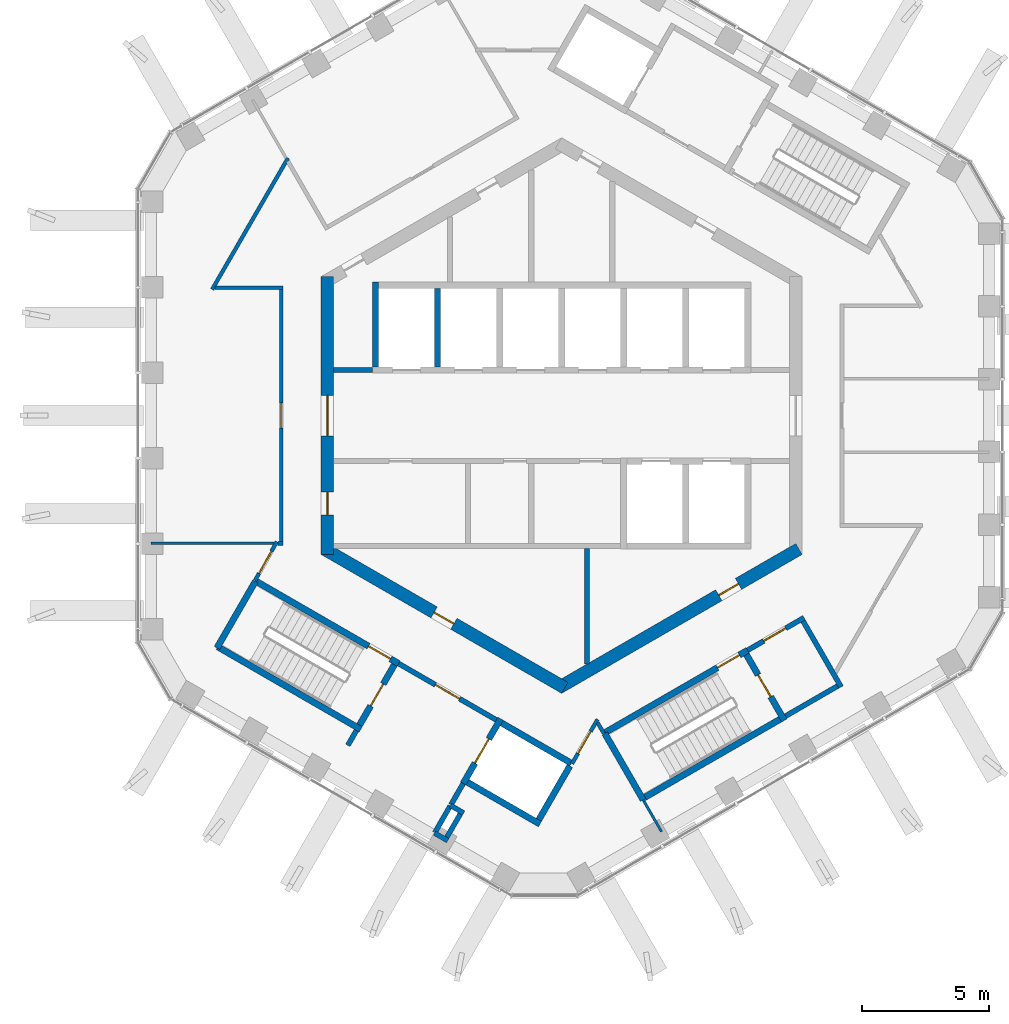
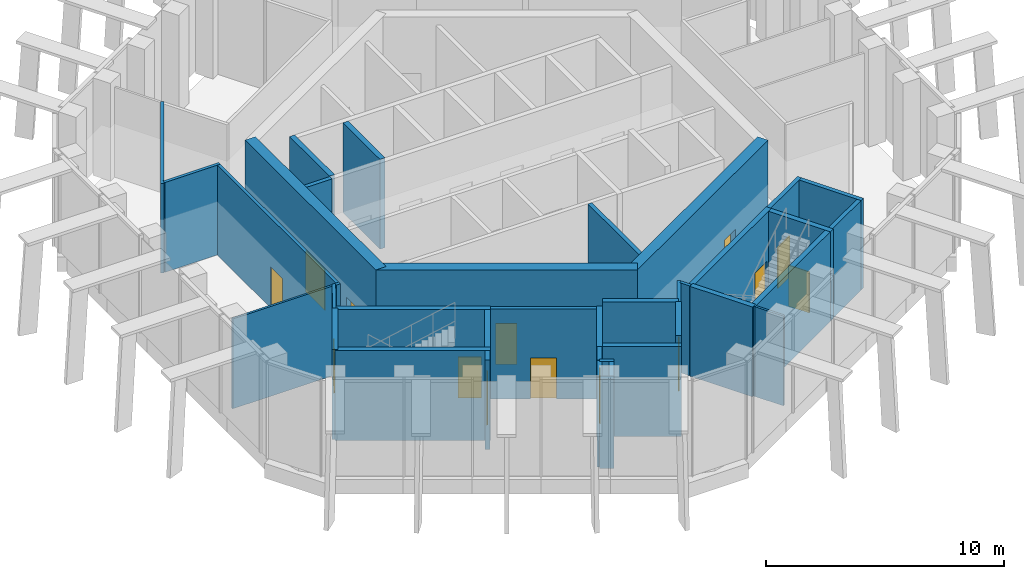
# One storey, part 11 of 17: 38 walls, 14 doors, 14 openings.
"""IFC4 building model written with IfcOpenShell, lengths in metres."""

from ifc_helpers import new_model, si_unit, direction, frame, frame_2d, origin, place, context, subcontext, project, spatial, rectangle, extrude, material, layer, layer_set, type_object, element, fill, save


model = new_model("IFC4")

# Units and contexts
model_context = context("Model", 3, precision=1e-05, world=origin(), true_north=direction((0.0, 1.0)))
body_context = subcontext(model_context, "Body", "Model", "MODEL_VIEW")
ifc_project = project(units=[si_unit("LENGTHUNIT", "METRE"), si_unit("AREAUNIT", "SQUARE_METRE"), si_unit("VOLUMEUNIT", "CUBIC_METRE"), si_unit("PLANEANGLEUNIT", "RADIAN"), si_unit("MASSUNIT", "GRAM", prefix="KILO")], contexts=[model_context])

# Site, building, storey
site_placement = place(None, origin())
site = spatial("IfcSite", under=ifc_project, at=site_placement, CompositionType="ELEMENT")
building_placement = place(site_placement, origin())
building = spatial("IfcBuilding", under=site, at=building_placement, Name="Ayvan Gate Tower", CompositionType="ELEMENT")
storey_placement = place(building_placement, frame((0.0, 0.0, 257.89990234375)))
storey = spatial("IfcBuildingStorey", under=building, at=storey_placement, Name="L69", CompositionType="ELEMENT", Elevation=257.89990234375)

# Wall, openings, doors
ifc_material_1 = material(Name="Concrete C60/75", Category="concrete")
ifc_layer_1 = layer(ifc_material_1, 0.5)
ifc_layer_set_1 = layer_set([ifc_layer_1], Name="Concrete C60/75")
wall_type_1 = type_object("IfcWallType", Name="Core wall 500 C60/75", PredefinedType="SHEAR", material=ifc_layer_set_1)
wall_1_placement = place(storey_placement, frame((-9.25, 5.48486328125, 0.0), z_axis=(0.0, 0.0, 1.0), x_axis=(0.0, -1.0, 0.0)))
wall_1 = element("IfcWall", 1, at=wall_1_placement, inside=storey, type_object=wall_type_1, Name="CORE-L69-3", PredefinedType="SHEAR", context=body_context, shape_type="SweptSolid", body=[
    extrude(rectangle(XDim=10.9697265625, YDim=0.5, at=frame_2d((5.48486328125, 0.0))), origin(), (0.0, 0.0, 1.0), 5.0),
])
opening_1_placement = place(wall_1_placement, frame((8.509765625, 0.0, 0.0)))
opening_1 = element("IfcOpeningElement", 2, at=opening_1_placement, cuts=wall_1, Name="Opening L69-D37", PredefinedType="OPENING", context=body_context, shape_type="SweptSolid", body=[
    extrude(rectangle(XDim=0.89990234375, YDim=2.10009765625, at=frame_2d((0.449951171875, 1.050048828125))), frame((0.0, 0.260009765625, 0.0), z_axis=(0.0, -1.0, 0.0), x_axis=(1.0, 0.0, 0.0)), (0.0, 0.0, 1.0), 0.52001953125),
])
opening_2_placement = place(wall_1_placement, frame((4.684814453125, 0.0, 0.0)))
opening_2 = element("IfcOpeningElement", 3, at=opening_2_placement, cuts=wall_1, Name="Opening L69-D39", PredefinedType="OPENING", context=body_context, shape_type="SweptSolid", body=[
    extrude(rectangle(XDim=1.60009765625, YDim=2.10009765625, at=frame_2d((0.800048828125, 1.050048828125))), frame((0.0, 0.260009765625, 0.0), z_axis=(0.0, -1.0, 0.0), x_axis=(1.0, 0.0, 0.0)), (0.0, 0.0, 1.0), 0.52001953125),
])
ifc_material_2 = material(Name="Timber door leaf", Category="wood")
door_type_1 = type_object("IfcDoorType", Name="DT-1600", OperationType="NOTDEFINED", PredefinedType="DOOR", material=ifc_material_2)
door_1_placement = place(opening_2_placement, origin())
door_1 = element("IfcDoor", 4, at=door_1_placement, inside=storey, type_object=door_type_1, Name="CD-L69-39", OperationType="SINGLE_SWING_RIGHT", OverallHeight=2.10009765625, OverallWidth=1.60009765625, PredefinedType="DOOR", context=body_context, shape_type="SweptSolid", body=[
    extrude(rectangle(XDim=1.60009765625, YDim=2.10009765625, at=frame_2d((0.800048828125, 1.050048828125))), frame((0.0, 0.02490234375, 0.0), z_axis=(0.0, -1.0, 0.0), x_axis=(1.0, 0.0, 0.0)), (0.0, 0.0, 1.0), 0.050048828125),
])
fill(opening_2, door_1)
door_type_2 = type_object("IfcDoorType", Name="DT-900", OperationType="NOTDEFINED", PredefinedType="DOOR", material=ifc_material_2)
door_2_placement = place(opening_1_placement, origin())
door_2 = element("IfcDoor", 5, at=door_2_placement, inside=storey, type_object=door_type_2, Name="CD-L69-37", OperationType="SINGLE_SWING_RIGHT", OverallHeight=2.10009765625, OverallWidth=0.89990234375, PredefinedType="DOOR", context=body_context, shape_type="SweptSolid", body=[
    extrude(rectangle(XDim=0.89990234375, YDim=2.10009765625, at=frame_2d((0.449951171875, 1.050048828125))), frame((0.0, 0.02490234375, 0.0), z_axis=(0.0, -1.0, 0.0), x_axis=(1.0, 0.0, 0.0)), (0.0, 0.0, 1.0), 0.050048828125),
])
fill(opening_1, door_2)

# Wall, opening, door
wall_2_placement = place(storey_placement, frame((-9.375, -5.268310546875, 0.0), z_axis=(0.0, 0.0, 1.0), x_axis=(0.866023993627, -0.500002442456, 0.0)))
wall_2 = element("IfcWall", 6, at=wall_2_placement, inside=storey, type_object=wall_type_1, Name="CORE-L69-4", PredefinedType="SHEAR", context=body_context, shape_type="SweptSolid", body=[
    extrude(rectangle(XDim=10.9697265625, YDim=0.5, at=frame_2d((5.48486328125, 0.0))), origin(), (0.0, 0.0, 1.0), 5.0),
])
opening_3_placement = place(wall_2_placement, frame((5.01123046875, 0.0, 0.0)))
opening_3 = element("IfcOpeningElement", 7, at=opening_3_placement, cuts=wall_2, Name="Opening L69-D35", PredefinedType="OPENING", context=body_context, shape_type="SweptSolid", body=[
    extrude(rectangle(XDim=0.89990234375, YDim=2.10009765625, at=frame_2d((0.449951171875, 1.050048828125))), frame((0.0, 0.260009765625, 0.0), z_axis=(0.0, -1.0, 0.0), x_axis=(1.0, 0.0, 0.0)), (0.0, 0.0, 1.0), 0.52001953125),
])
door_3_placement = place(opening_3_placement, origin())
door_3 = element("IfcDoor", 8, at=door_3_placement, inside=storey, type_object=door_type_2, Name="CD-L69-35", OperationType="SINGLE_SWING_RIGHT", OverallHeight=2.10009765625, OverallWidth=0.89990234375, PredefinedType="DOOR", context=body_context, shape_type="SweptSolid", body=[
    extrude(rectangle(XDim=0.89990234375, YDim=2.10009765625, at=frame_2d((0.449951171875, 1.050048828125))), frame((0.0, 0.02490234375, 0.0), z_axis=(0.0, -1.0, 0.0), x_axis=(1.0, 0.0, 0.0)), (0.0, 0.0, 1.0), 0.050048828125),
])
fill(opening_3, door_3)

wall_3_placement = place(storey_placement, frame((-0.125, -10.753173828125, 0.0), z_axis=(0.0, 0.0, 1.0), x_axis=(0.866023993627, 0.500002442456, 0.0)))
wall_3 = element("IfcWall", 9, at=wall_3_placement, inside=storey, type_object=wall_type_1, Name="CORE-L69-5", PredefinedType="SHEAR", context=body_context, shape_type="SweptSolid", body=[
    extrude(rectangle(XDim=10.9697265625, YDim=0.5, at=frame_2d((5.48486328125, 0.0))), origin(), (0.0, 0.0, 1.0), 5.0),
])
opening_4_placement = place(wall_3_placement, frame((7.310791015625, 0.0, 0.0)))
opening_4 = element("IfcOpeningElement", 10, at=opening_4_placement, cuts=wall_3, Name="Opening L69-D36", PredefinedType="OPENING", context=body_context, shape_type="SweptSolid", body=[
    extrude(rectangle(XDim=0.89990234375, YDim=2.10009765625, at=frame_2d((0.449951171875, 1.050048828125))), frame((0.0, 0.260009765625, 0.0), z_axis=(0.0, -1.0, 0.0), x_axis=(1.0, 0.0, 0.0)), (0.0, 0.0, 1.0), 0.52001953125),
])
door_4_placement = place(opening_4_placement, origin())
door_4 = element("IfcDoor", 11, at=door_4_placement, inside=storey, type_object=door_type_2, Name="CD-L69-36", OperationType="SINGLE_SWING_LEFT", OverallHeight=2.10009765625, OverallWidth=0.89990234375, PredefinedType="DOOR", context=body_context, shape_type="SweptSolid", body=[
    extrude(rectangle(XDim=0.89990234375, YDim=2.10009765625, at=frame_2d((0.449951171875, 1.050048828125))), frame((0.0, 0.02490234375, 0.0), z_axis=(0.0, -1.0, 0.0), x_axis=(1.0, 0.0, 0.0)), (0.0, 0.0, 1.0), 0.050048828125),
])
fill(opening_4, door_4)

# Wall
ifc_material_3 = material(Name="Plasterboard on steel stud", Category="steel")
ifc_layer_2 = layer(ifc_material_3, 0.14990234375)
ifc_layer_set_2 = layer_set([ifc_layer_2], Name="Plasterboard on steel stud")
wall_type_2 = type_object("IfcWallType", Name="WT-CORR-150", PredefinedType="PARTITIONING", material=ifc_layer_set_2)
wall_4_placement = place(storey_placement, frame((-13.801025390625, 4.981689453125, 0.0), z_axis=(0.0, 0.0, 1.0), x_axis=(0.499988265988, 0.866032178313, 0.0)))
element("IfcWall", 12, at=wall_4_placement, inside=storey, type_object=wall_type_2, Name="IW-L69-000", PredefinedType="PARTITIONING", context=body_context, shape_type="SweptSolid", body=[
    extrude(rectangle(XDim=5.989501953125, YDim=0.14990234375, at=frame_2d((2.99462890625, 0.0))), origin(), (0.0, 0.0, 1.0), 4.60009765625),
])

# Wall, opening, door
wall_5_placement = place(storey_placement, frame((-12.111328125, -6.517578125, 0.0), z_axis=(0.0, 0.0, 1.0), x_axis=(0.491226952913, 0.871031618675, 0.0)))
wall_5 = element("IfcWall", 13, at=wall_5_placement, inside=storey, type_object=wall_type_2, Name="IW-L69-004", PredefinedType="PARTITIONING", context=body_context, shape_type="SweptSolid", body=[
    extrude(rectangle(XDim=1.763916015625, YDim=0.14990234375, at=frame_2d((0.8818359375, 0.0))), origin(), (0.0, 0.0, 1.0), 4.60009765625),
])
opening_5_placement = place(wall_5_placement, frame((0.3271484375, 0.0, 0.0)))
opening_5 = element("IfcOpeningElement", 14, at=opening_5_placement, cuts=wall_5, Name="Opening L69-D29", PredefinedType="OPENING", context=body_context, shape_type="SweptSolid", body=[
    extrude(rectangle(XDim=1.0, YDim=2.10009765625, at=frame_2d((0.5, 1.050048828125))), frame((0.0, 0.0849609375, 0.0), z_axis=(0.0, -1.0, 0.0), x_axis=(1.0, 0.0, 0.0)), (0.0, 0.0, 1.0), 0.169921875),
])
door_type_3 = type_object("IfcDoorType", Name="DT-1000", OperationType="NOTDEFINED", PredefinedType="DOOR", material=ifc_material_2)
door_5_placement = place(opening_5_placement, origin())
door_5 = element("IfcDoor", 15, at=door_5_placement, inside=storey, type_object=door_type_3, Name="ID-L69-029", OperationType="SINGLE_SWING_RIGHT", OverallHeight=2.10009765625, OverallWidth=1.0, PredefinedType="DOOR", context=body_context, shape_type="SweptSolid", body=[
    extrude(rectangle(XDim=1.0, YDim=2.10009765625, at=frame_2d((0.5, 1.050048828125))), frame((0.0, 0.02490234375, 0.0), z_axis=(0.0, -1.0, 0.0), x_axis=(1.0, 0.0, 0.0)), (0.0, 0.0, 1.0), 0.050048828125),
])
fill(opening_5, door_5)

# Walls
wall_6_placement = place(storey_placement, frame((-11.20654296875, -5.046630859375, 0.0), z_axis=(0.0, 0.0, 1.0), x_axis=(1.0, 0.0, 0.0)))
element("IfcWall", 16, at=wall_6_placement, inside=storey, type_object=wall_type_2, Name="IW-L69-006", PredefinedType="PARTITIONING", context=body_context, shape_type="SweptSolid", body=[
    extrude(rectangle(XDim=0.21142578125, YDim=0.14990234375, at=frame_2d((0.105712890625, 0.0))), origin(), (0.0, 0.0, 1.0), 4.60009765625),
])
wall_7_placement = place(storey_placement, frame((-10.9951171875, 5.046630859375, 0.0), z_axis=(0.0, 0.0, 1.0), x_axis=(-1.0, 0.0, 0.0)))
element("IfcWall", 17, at=wall_7_placement, inside=storey, type_object=wall_type_2, Name="IW-L69-008", PredefinedType="PARTITIONING", context=body_context, shape_type="SweptSolid", body=[
    extrude(rectangle(XDim=2.693359375, YDim=0.14990234375, at=frame_2d((1.3466796875, 0.0))), origin(), (0.0, 0.0, 1.0), 4.60009765625),
])

# Wall, opening, door
wall_8_placement = place(storey_placement, frame((-11.070068359375, -4.9716796875, 0.0), z_axis=(0.0, 0.0, 1.0), x_axis=(0.0, 1.0, 0.0)))
wall_8 = element("IfcWall", 18, at=wall_8_placement, inside=storey, type_object=wall_type_2, Name="IW-L69-009", PredefinedType="PARTITIONING", context=body_context, shape_type="SweptSolid", body=[
    extrude(rectangle(XDim=9.943359375, YDim=0.14990234375, at=frame_2d((4.9716796875, 0.0))), origin(), (0.0, 0.0, 1.0), 4.60009765625),
])
opening_6_placement = place(wall_8_placement, frame((4.4716796875, 0.0, 0.0)))
opening_6 = element("IfcOpeningElement", 19, at=opening_6_placement, cuts=wall_8, Name="Opening L69-D26", PredefinedType="OPENING", context=body_context, shape_type="SweptSolid", body=[
    extrude(rectangle(XDim=1.0, YDim=2.10009765625, at=frame_2d((0.5, 1.050048828125))), frame((0.0, 0.0849609375, 0.0), z_axis=(0.0, -1.0, 0.0), x_axis=(1.0, 0.0, 0.0)), (0.0, 0.0, 1.0), 0.169921875),
])
door_6_placement = place(opening_6_placement, origin())
door_6 = element("IfcDoor", 20, at=door_6_placement, inside=storey, type_object=door_type_3, Name="ID-L69-026", OperationType="SINGLE_SWING_LEFT", OverallHeight=2.10009765625, OverallWidth=1.0, PredefinedType="DOOR", context=body_context, shape_type="SweptSolid", body=[
    extrude(rectangle(XDim=1.0, YDim=2.10009765625, at=frame_2d((0.5, 1.050048828125))), frame((0.0, 0.02490234375, 0.0), z_axis=(0.0, -1.0, 0.0), x_axis=(1.0, 0.0, 0.0)), (0.0, 0.0, 1.0), 0.050048828125),
])
fill(opening_6, door_6)

wall_9_placement = place(storey_placement, frame((1.419921875, -12.00048828125, 0.0), z_axis=(0.0, 0.0, 1.0), x_axis=(-0.499952933402, -0.866052575992, 0.0)))
wall_9 = element("IfcWall", 21, at=wall_9_placement, inside=storey, type_object=wall_type_2, Name="IW-L69-044", PredefinedType="PARTITIONING", context=body_context, shape_type="SweptSolid", body=[
    extrude(rectangle(XDim=2.017333984375, YDim=0.14990234375, at=frame_2d((1.0087890625, 0.0))), origin(), (0.0, 0.0, 1.0), 4.60009765625),
])
opening_7_placement = place(wall_9_placement, frame((0.5458984375, 0.0, 0.0)))
opening_7 = element("IfcOpeningElement", 22, at=opening_7_placement, cuts=wall_9, Name="Opening L69-D30", PredefinedType="OPENING", context=body_context, shape_type="SweptSolid", body=[
    extrude(rectangle(XDim=1.0, YDim=2.10009765625, at=frame_2d((0.5, 1.050048828125))), frame((0.0, 0.0849609375, 0.0), z_axis=(0.0, -1.0, 0.0), x_axis=(1.0, 0.0, 0.0)), (0.0, 0.0, 1.0), 0.169921875),
])
door_7_placement = place(opening_7_placement, origin())
door_7 = element("IfcDoor", 23, at=door_7_placement, inside=storey, type_object=door_type_3, Name="ID-L69-030", OperationType="SINGLE_SWING_LEFT", OverallHeight=2.10009765625, OverallWidth=1.0, PredefinedType="DOOR", context=body_context, shape_type="SweptSolid", body=[
    extrude(rectangle(XDim=1.0, YDim=2.10009765625, at=frame_2d((0.5, 1.050048828125))), frame((0.0, 0.02490234375, 0.0), z_axis=(0.0, -1.0, 0.0), x_axis=(1.0, 0.0, 0.0)), (0.0, 0.0, 1.0), 0.050048828125),
])
fill(opening_7, door_7)

# Walls
wall_10_placement = place(storey_placement, frame((1.6669921875, -12.547607421875, 0.0), z_axis=(0.0, 0.0, 1.0), x_axis=(-0.508186221736, 0.861247214241, 0.0)))
element("IfcWall", 24, at=wall_10_placement, inside=storey, type_object=wall_type_2, Name="IW-L69-045", PredefinedType="PARTITIONING", context=body_context, shape_type="SweptSolid", body=[
    extrude(rectangle(XDim=0.484619140625, YDim=0.14990234375, at=frame_2d((0.2421875, 0.0))), origin(), (0.0, 0.0, 1.0), 4.60009765625),
])
ifc_layer_3 = layer(ifc_material_3, 0.10009765625)
ifc_layer_set_3 = layer_set([ifc_layer_3], Name="Plasterboard on steel stud")
wall_type_3 = type_object("IfcWallType", Name="WT-PART-100", PredefinedType="PARTITIONING", material=ifc_layer_set_3)
wall_11_placement = place(storey_placement, frame((-11.3564453125, -5.046630859375, 0.0), z_axis=(0.0, 0.0, 1.0), x_axis=(-1.0, 0.0, 0.0)))
element("IfcWall", 25, at=wall_11_placement, inside=storey, type_object=wall_type_3, Name="IW-L69-007", PredefinedType="PARTITIONING", context=body_context, shape_type="SweptSolid", body=[
    extrude(rectangle(XDim=4.850341796875, YDim=0.10009765625, at=frame_2d((2.42529296875, 0.0))), origin(), (0.0, 0.0, 1.0), 4.60009765625),
])
wall_12_placement = place(storey_placement, frame((3.946533203125, -16.435546875, 0.0), z_axis=(0.0, 0.0, 1.0), x_axis=(-0.499977339252, 0.866038486578, 0.0)))
element("IfcWall", 26, at=wall_12_placement, inside=storey, type_object=wall_type_3, Name="IW-L69-055", PredefinedType="PARTITIONING", context=body_context, shape_type="SweptSolid", body=[
    extrude(rectangle(XDim=1.3818359375, YDim=0.10009765625, at=frame_2d((0.69091796875, 0.0))), origin(), (0.0, 0.0, 1.0), 4.60009765625),
])
ifc_layer_4 = layer(ifc_material_3, 0.199951171875)
ifc_layer_set_4 = layer_set([ifc_layer_4], Name="Plasterboard on steel stud")
wall_type_4 = type_object("IfcWallType", Name="WT-PLUMB-200", PredefinedType="PLUMBINGWALL", material=ifc_layer_set_4)
wall_13_placement = place(storey_placement, frame((-5.006103515625, -16.47119140625, 0.0), z_axis=(0.0, 0.0, 1.0), x_axis=(0.499913398087, 0.866075397649, 0.0)))
element("IfcWall", 27, at=wall_13_placement, inside=storey, type_object=wall_type_4, Name="IW-L69-021", PredefinedType="PLUMBINGWALL", context=body_context, shape_type="SweptSolid", body=[
    extrude(rectangle(XDim=1.217529296875, YDim=0.199951171875, at=frame_2d((0.60888671875, 0.0))), origin(), (0.0, 0.0, 1.0), 4.60009765625),
])
for number, where, z_axis, x_axis, name in (
    (28, (-4.49658203125, -16.788330078125, 0.0), (0.0, 0.0, 1.0), (-0.865955154139, 0.50012165622, 0.0), "IW-L69-024"),
    (29, (-4.387451171875, -15.3994140625, 0.0), (0.0, 0.0, 1.0), (0.865955154139, -0.50012165622, 0.0), "IW-L69-026"),
):
    element("IfcWall", number, at=place(storey_placement, frame(where, z_axis=z_axis, x_axis=x_axis)), inside=storey, type_object=wall_type_4, Name=name, PredefinedType="PLUMBINGWALL", context=body_context, shape_type="SweptSolid", body=[
        extrude(rectangle(XDim=0.599853515625, YDim=0.199951171875, at=frame_2d((0.2998046875, 0.0))), origin(), (0.0, 0.0, 1.0), 4.60009765625),
    ])
wall_14_placement = place(storey_placement, frame((-4.00439453125, -15.736083984375, 0.0), z_axis=(0.0, 0.0, 1.0), x_axis=(-0.500062184469, -0.865989498588, 0.0)))
element("IfcWall", 30, at=wall_14_placement, inside=storey, type_object=wall_type_4, Name="IW-L69-027", PredefinedType="PLUMBINGWALL", context=body_context, shape_type="SweptSolid", body=[
    extrude(rectangle(XDim=1.057373046875, YDim=0.199951171875, at=frame_2d((0.52880859375, 0.0))), origin(), (0.0, 0.0, 1.0), 4.60009765625),
])
ifc_layer_5 = layer(ifc_material_3, 0.199951171875)
ifc_layer_set_5 = layer_set([ifc_layer_5], Name="Plasterboard on steel stud")
wall_type_5 = type_object("IfcWallType", Name="WT-RATED-200", PredefinedType="PARTITIONING", material=ifc_layer_set_5)
wall_15_placement = place(storey_placement, frame((-9.0, 1.800048828125, 0.0), z_axis=(0.0, 0.0, 1.0), x_axis=(1.0, 0.0, 0.0)))
element("IfcWall", 31, at=wall_15_placement, inside=storey, type_object=wall_type_5, Name="IW-L69-012", PredefinedType="PARTITIONING", context=body_context, shape_type="SweptSolid", body=[
    extrude(rectangle(XDim=1.525146484375, YDim=0.199951171875, at=frame_2d((0.7626953125, 0.0))), origin(), (0.0, 0.0, 1.0), 4.60009765625),
])
wall_16_placement = place(storey_placement, frame((-8.44287109375, -13.0234375, 0.0), z_axis=(0.0, 0.0, 1.0), x_axis=(0.500066738792, 0.865986868696, 0.0)))
element("IfcWall", 32, at=wall_16_placement, inside=storey, type_object=wall_type_5, Name="IW-L69-014", PredefinedType="PARTITIONING", context=body_context, shape_type="SweptSolid", body=[
    extrude(rectangle(XDim=0.67529296875, YDim=0.199951171875, at=frame_2d((0.337646484375, 0.0))), origin(), (0.0, 0.0, 1.0), 4.60009765625),
])

# Wall, opening, door
wall_17_placement = place(storey_placement, frame((-6.4345703125, -9.794921875, 0.0), z_axis=(0.0, 0.0, 1.0), x_axis=(0.866012907634, -0.500021643343, 0.0)))
wall_17 = element("IfcWall", 33, at=wall_17_placement, inside=storey, type_object=wall_type_5, Name="IW-L69-020", PredefinedType="PARTITIONING", context=body_context, shape_type="SweptSolid", body=[
    extrude(rectangle(XDim=4.449951171875, YDim=0.199951171875, at=frame_2d((2.22509765625, 0.0))), origin(), (0.0, 0.0, 1.0), 4.60009765625),
])
opening_8_placement = place(wall_17_placement, frame((1.675048828125, 0.0, 0.0)))
opening_8 = element("IfcOpeningElement", 34, at=opening_8_placement, cuts=wall_17, Name="Opening L69-D18", PredefinedType="OPENING", context=body_context, shape_type="SweptSolid", body=[
    extrude(rectangle(XDim=1.10009765625, YDim=2.10009765625, at=frame_2d((0.550048828125, 1.050048828125))), frame((0.0, 0.10986328125, 0.0), z_axis=(0.0, -1.0, 0.0), x_axis=(1.0, 0.0, 0.0)), (0.0, 0.0, 1.0), 0.219970703125),
])
door_type_4 = type_object("IfcDoorType", Name="DT-1100", OperationType="NOTDEFINED", PredefinedType="DOOR", material=ifc_material_2)
door_8_placement = place(opening_8_placement, origin())
door_8 = element("IfcDoor", 35, at=door_8_placement, inside=storey, type_object=door_type_4, Name="ID-L69-018", OperationType="SINGLE_SWING_LEFT", OverallHeight=2.10009765625, OverallWidth=1.10009765625, PredefinedType="DOOR", context=body_context, shape_type="SweptSolid", body=[
    extrude(rectangle(XDim=1.10009765625, YDim=2.10009765625, at=frame_2d((0.550048828125, 1.050048828125))), frame((0.0, 0.02490234375, 0.0), z_axis=(0.0, -1.0, 0.0), x_axis=(1.0, 0.0, 0.0)), (0.0, 0.0, 1.0), 0.050048828125),
])
fill(opening_8, door_8)

# Walls
wall_18_placement = place(storey_placement, frame((-3.885009765625, -14.52880859375, 0.0), z_axis=(0.0, 0.0, 1.0), x_axis=(-0.49998975084, -0.866031321059, 0.0)))
element("IfcWall", 36, at=wall_18_placement, inside=storey, type_object=wall_type_5, Name="IW-L69-028", PredefinedType="PARTITIONING", context=body_context, shape_type="SweptSolid", body=[
    extrude(rectangle(XDim=0.97509765625, YDim=0.199951171875, at=frame_2d((0.487548828125, 0.0))), origin(), (0.0, 0.0, 1.0), 4.60009765625),
])
wall_19_placement = place(storey_placement, frame((1.0, -5.25, 0.0), z_axis=(0.0, 0.0, 1.0), x_axis=(0.0, -1.0, 0.0)))
element("IfcWall", 37, at=wall_19_placement, inside=storey, type_object=wall_type_5, Name="IW-L69-043", PredefinedType="PARTITIONING", context=body_context, shape_type="SweptSolid", body=[
    extrude(rectangle(XDim=4.56494140625, YDim=0.199951171875, at=frame_2d((2.282470703125, 0.0))), origin(), (0.0, 0.0, 1.0), 4.60009765625),
])

# Wall, opening, door
wall_20_placement = place(storey_placement, frame((7.343994140625, -9.27001953125, 0.0), z_axis=(0.0, 0.0, 1.0), x_axis=(0.866005588531, 0.500034319456, 0.0)))
wall_20 = element("IfcWall", 38, at=wall_20_placement, inside=storey, type_object=wall_type_5, Name="IW-L69-064", PredefinedType="PARTITIONING", context=body_context, shape_type="SweptSolid", body=[
    extrude(rectangle(XDim=2.574951171875, YDim=0.199951171875, at=frame_2d((1.28759765625, 0.0))), origin(), (0.0, 0.0, 1.0), 4.60009765625),
])
opening_9_placement = place(wall_20_placement, frame((0.737548828125, 0.0, 0.0)))
opening_9 = element("IfcOpeningElement", 39, at=opening_9_placement, cuts=wall_20, Name="Opening L69-D21", PredefinedType="OPENING", context=body_context, shape_type="SweptSolid", body=[
    extrude(rectangle(XDim=1.0, YDim=2.10009765625, at=frame_2d((0.5, 1.050048828125))), frame((0.0, 0.10986328125, 0.0), z_axis=(0.0, -1.0, 0.0), x_axis=(1.0, 0.0, 0.0)), (0.0, 0.0, 1.0), 0.219970703125),
])
door_9_placement = place(opening_9_placement, origin())
door_9 = element("IfcDoor", 40, at=door_9_placement, inside=storey, type_object=door_type_3, Name="ID-L69-021", OperationType="SINGLE_SWING_RIGHT", OverallHeight=2.10009765625, OverallWidth=1.0, PredefinedType="DOOR", context=body_context, shape_type="SweptSolid", body=[
    extrude(rectangle(XDim=1.0, YDim=2.10009765625, at=frame_2d((0.5, 1.050048828125))), frame((0.0, 0.02490234375, 0.0), z_axis=(0.0, -1.0, 0.0), x_axis=(1.0, 0.0, 0.0)), (0.0, 0.0, 1.0), 0.050048828125),
])
fill(opening_9, door_9)

# Walls
wall_21_placement = place(storey_placement, frame((9.537353515625, -8.119140625, 0.0), z_axis=(0.0, 0.0, 1.0), x_axis=(0.499990139034, -0.866031096941, 0.0)))
element("IfcWall", 41, at=wall_21_placement, inside=storey, type_object=wall_type_5, Name="IW-L69-073", PredefinedType="PARTITIONING", context=body_context, shape_type="SweptSolid", body=[
    extrude(rectangle(XDim=3.0, YDim=0.199951171875, at=frame_2d((1.5, 0.0))), origin(), (0.0, 0.0, 1.0), 4.60009765625),
])
wall_22_placement = place(storey_placement, frame((10.900634765625, -10.6806640625, 0.0), z_axis=(0.0, 0.0, 1.0), x_axis=(-0.866007538022, -0.500030943131, 0.0)))
element("IfcWall", 42, at=wall_22_placement, inside=storey, type_object=wall_type_5, Name="IW-L69-074", PredefinedType="PARTITIONING", context=body_context, shape_type="SweptSolid", body=[
    extrude(rectangle(XDim=2.374755859375, YDim=0.199951171875, at=frame_2d((1.1875, 0.0))), origin(), (0.0, 0.0, 1.0), 4.60009765625),
])
ifc_material_4 = material(Name="Concrete C50/60", Category="concrete")
ifc_layer_6 = layer(ifc_material_4, 0.25)
ifc_layer_set_6 = layer_set([ifc_layer_6], Name="Concrete C50/60")
wall_type_6 = type_object("IfcWallType", Name="WT-RC-250", PredefinedType="SHEAR", material=ifc_layer_set_6)
wall_23_placement = place(storey_placement, frame((-13.61279296875, -9.17822265625, 0.0), z_axis=(0.0, 0.0, 1.0), x_axis=(0.499954569122, 0.866051631725, 0.0)))
element("IfcWall", 43, at=wall_23_placement, inside=storey, type_object=wall_type_6, Name="IW-L69-001", PredefinedType="SHEAR", context=body_context, shape_type="SweptSolid", body=[
    extrude(rectangle(XDim=3.034912109375, YDim=0.25, at=frame_2d((1.517578125, 0.0))), origin(), (0.0, 0.0, 1.0), 4.60009765625),
])

# Wall, opening, door
wall_24_placement = place(storey_placement, frame((-12.08544921875, -6.532470703125, 0.0), z_axis=(0.0, 0.0, 1.0), x_axis=(0.866031063448, -0.499990197047, 0.0)))
wall_24 = element("IfcWall", 44, at=wall_24_placement, inside=storey, type_object=wall_type_6, Name="IW-L69-005", PredefinedType="SHEAR", context=body_context, shape_type="SweptSolid", body=[
    extrude(rectangle(XDim=6.525146484375, YDim=0.25, at=frame_2d((3.2626953125, 0.0))), origin(), (0.0, 0.0, 1.0), 4.60009765625),
])
opening_10_placement = place(wall_24_placement, frame((5.14990234375, 0.0, 0.0)))
opening_10 = element("IfcOpeningElement", 45, at=opening_10_placement, cuts=wall_24, Name="Opening L69-D16", PredefinedType="OPENING", context=body_context, shape_type="SweptSolid", body=[
    extrude(rectangle(XDim=1.0, YDim=2.10009765625, at=frame_2d((0.5, 1.050048828125))), frame((0.0, 0.135009765625, 0.0), z_axis=(0.0, -1.0, 0.0), x_axis=(1.0, 0.0, 0.0)), (0.0, 0.0, 1.0), 0.27001953125),
])
door_10_placement = place(opening_10_placement, origin())
door_10 = element("IfcDoor", 46, at=door_10_placement, inside=storey, type_object=door_type_3, Name="ID-L69-016", OperationType="SINGLE_SWING_LEFT", OverallHeight=2.10009765625, OverallWidth=1.0, PredefinedType="DOOR", context=body_context, shape_type="SweptSolid", body=[
    extrude(rectangle(XDim=1.0, YDim=2.10009765625, at=frame_2d((0.5, 1.050048828125))), frame((0.0, 0.02490234375, 0.0), z_axis=(0.0, -1.0, 0.0), x_axis=(1.0, 0.0, 0.0)), (0.0, 0.0, 1.0), 0.050048828125),
])
fill(opening_10, door_10)

# Walls
wall_25_placement = place(storey_placement, frame((-7.9345703125, -12.39306640625, 0.0), z_axis=(0.0, 0.0, 1.0), x_axis=(-0.866031063448, 0.499990197047, 0.0)))
element("IfcWall", 47, at=wall_25_placement, inside=storey, type_object=wall_type_6, Name="IW-L69-015", PredefinedType="SHEAR", context=body_context, shape_type="SweptSolid", body=[
    extrude(rectangle(XDim=6.525146484375, YDim=0.25, at=frame_2d((3.2626953125, 0.0))), origin(), (0.0, 0.0, 1.0), 4.60009765625),
])
wall_26_placement = place(storey_placement, frame((-7.35009765625, 1.925048828125, 0.0), z_axis=(0.0, 0.0, 1.0), x_axis=(0.0, 1.0, 0.0)))
element("IfcWall", 48, at=wall_26_placement, inside=storey, type_object=wall_type_6, Name="IW-L69-017", PredefinedType="SHEAR", context=body_context, shape_type="SweptSolid", body=[
    extrude(rectangle(XDim=3.349853515625, YDim=0.25, at=frame_2d((1.6748046875, 0.0))), origin(), (0.0, 0.0, 1.0), 4.60009765625),
])

# Wall, opening, door
wall_27_placement = place(storey_placement, frame((-6.605224609375, -9.8408203125, 0.0), z_axis=(0.0, 0.0, 1.0), x_axis=(-0.499996545922, -0.866027397988, 0.0)))
wall_27 = element("IfcWall", 49, at=wall_27_placement, inside=storey, type_object=wall_type_6, Name="IW-L69-019", PredefinedType="SHEAR", context=body_context, shape_type="SweptSolid", body=[
    extrude(rectangle(XDim=2.75, YDim=0.25, at=frame_2d((1.375, 0.0))), origin(), (0.0, 0.0, 1.0), 4.60009765625),
])
opening_11_placement = place(wall_27_placement, frame((0.875, 0.0, 0.0)))
opening_11 = element("IfcOpeningElement", 50, at=opening_11_placement, cuts=wall_27, Name="Opening L69-D17", PredefinedType="OPENING", context=body_context, shape_type="SweptSolid", body=[
    extrude(rectangle(XDim=1.0, YDim=2.10009765625, at=frame_2d((0.5, 1.050048828125))), frame((0.0, 0.135009765625, 0.0), z_axis=(0.0, -1.0, 0.0), x_axis=(1.0, 0.0, 0.0)), (0.0, 0.0, 1.0), 0.27001953125),
])
door_11_placement = place(opening_11_placement, origin())
door_11 = element("IfcDoor", 51, at=door_11_placement, inside=storey, type_object=door_type_3, Name="ID-L69-017", OperationType="SINGLE_SWING_RIGHT", OverallHeight=2.10009765625, OverallWidth=1.0, PredefinedType="DOOR", context=body_context, shape_type="SweptSolid", body=[
    extrude(rectangle(XDim=1.0, YDim=2.10009765625, at=frame_2d((0.5, 1.050048828125))), frame((0.0, 0.02490234375, 0.0), z_axis=(0.0, -1.0, 0.0), x_axis=(1.0, 0.0, 0.0)), (0.0, 0.0, 1.0), 0.050048828125),
])
fill(opening_11, door_11)

# Wall
wall_28_placement = place(storey_placement, frame((-4.89990234375, 5.02490234375, 0.0), z_axis=(0.0, 0.0, 1.0), x_axis=(0.0, -1.0, 0.0)))
element("IfcWall", 52, at=wall_28_placement, inside=storey, type_object=wall_type_6, Name="IW-L69-022", PredefinedType="SHEAR", context=body_context, shape_type="SweptSolid", body=[
    extrude(rectangle(XDim=3.099853515625, YDim=0.25, at=frame_2d((1.5498046875, 0.0))), origin(), (0.0, 0.0, 1.0), 4.60009765625),
])

# Wall, opening, door
wall_29_placement = place(storey_placement, frame((-2.409912109375, -11.97412109375, 0.0), z_axis=(0.0, 0.0, 1.0), x_axis=(-0.500001826776, -0.866024349092, 0.0)))
wall_29 = element("IfcWall", 53, at=wall_29_placement, inside=storey, type_object=wall_type_6, Name="IW-L69-032", PredefinedType="SHEAR", context=body_context, shape_type="SweptSolid", body=[
    extrude(rectangle(XDim=2.9501953125, YDim=0.25, at=frame_2d((1.47509765625, 0.0))), origin(), (0.0, 0.0, 1.0), 4.60009765625),
])
opening_12_placement = place(wall_29_placement, frame((0.925048828125, 0.0, 0.0)))
opening_12 = element("IfcOpeningElement", 54, at=opening_12_placement, cuts=wall_29, Name="Opening L69-LD-FF2", PredefinedType="OPENING", context=body_context, shape_type="SweptSolid", body=[
    extrude(rectangle(XDim=1.10009765625, YDim=2.10009765625, at=frame_2d((0.550048828125, 1.050048828125))), frame((0.0, 0.135009765625, 0.0), z_axis=(0.0, -1.0, 0.0), x_axis=(1.0, 0.0, 0.0)), (0.0, 0.0, 1.0), 0.27001953125),
])
ifc_material_5 = material(Name="Stainless steel landing door", Category="steel")
door_type_5 = type_object("IfcDoorType", Name="DT-LANDING-1100", OperationType="SLIDING_TO_LEFT", PredefinedType="DOOR", material=ifc_material_5)
door_12_placement = place(opening_12_placement, origin())
door_12 = element("IfcDoor", 55, at=door_12_placement, inside=storey, type_object=door_type_5, Name="ID-L69-019", OperationType="SLIDING_TO_LEFT", OverallHeight=2.10009765625, OverallWidth=1.10009765625, PredefinedType="DOOR", context=body_context, shape_type="SweptSolid", body=[
    extrude(rectangle(XDim=1.10009765625, YDim=2.10009765625, at=frame_2d((0.550048828125, 1.050048828125))), frame((0.0, 0.02490234375, 0.0), z_axis=(0.0, -1.0, 0.0), x_axis=(1.0, 0.0, 0.0)), (0.0, 0.0, 1.0), 0.050048828125),
])
fill(opening_12, door_12)

# Walls
wall_30_placement = place(storey_placement, frame((-2.3642578125, -12.14501953125, 0.0), z_axis=(0.0, 0.0, 1.0), x_axis=(0.866048579423, -0.499959856469, 0.0)))
element("IfcWall", 56, at=wall_30_placement, inside=storey, type_object=wall_type_6, Name="IW-L69-033", PredefinedType="SHEAR", context=body_context, shape_type="SweptSolid", body=[
    extrude(rectangle(XDim=3.175048828125, YDim=0.25, at=frame_2d((1.58740234375, 0.0))), origin(), (0.0, 0.0, 1.0), 5.0),
])
wall_31_placement = place(storey_placement, frame((-0.8564453125, -16.13330078125, 0.0), z_axis=(0.0, 0.0, 1.0), x_axis=(-0.866021716278, 0.500006386895, 0.0)))
element("IfcWall", 57, at=wall_31_placement, inside=storey, type_object=wall_type_6, Name="IW-L69-038", PredefinedType="SHEAR", context=body_context, shape_type="SweptSolid", body=[
    extrude(rectangle(XDim=3.2998046875, YDim=0.25, at=frame_2d((1.64990234375, 0.0))), origin(), (0.0, 0.0, 1.0), 4.60009765625),
])
wall_32_placement = place(storey_placement, frame((0.323974609375, -13.8388671875, 0.0), z_axis=(0.0, 0.0, 1.0), x_axis=(-0.500015484165, -0.866016463813, 0.0)))
element("IfcWall", 58, at=wall_32_placement, inside=storey, type_object=wall_type_6, Name="IW-L69-041", PredefinedType="SHEAR", context=body_context, shape_type="SweptSolid", body=[
    extrude(rectangle(XDim=2.4521484375, YDim=0.25, at=frame_2d((1.22607421875, 0.0))), origin(), (0.0, 0.0, 1.0), 5.0),
])

# Wall, opening, door
wall_33_placement = place(storey_placement, frame((1.693115234375, -12.532470703125, 0.0), z_axis=(0.0, 0.0, 1.0), x_axis=(0.866031063448, 0.499990197047, 0.0)))
wall_33 = element("IfcWall", 59, at=wall_33_placement, inside=storey, type_object=wall_type_6, Name="IW-L69-047", PredefinedType="SHEAR", context=body_context, shape_type="SweptSolid", body=[
    extrude(rectangle(XDim=6.525146484375, YDim=0.25, at=frame_2d((3.2626953125, 0.0))), origin(), (0.0, 0.0, 1.0), 4.60009765625),
])
opening_13_placement = place(wall_33_placement, frame((5.14990234375, 0.0, 0.0)))
opening_13 = element("IfcOpeningElement", 60, at=opening_13_placement, cuts=wall_33, Name="Opening L69-D20", PredefinedType="OPENING", context=body_context, shape_type="SweptSolid", body=[
    extrude(rectangle(XDim=1.0, YDim=2.10009765625, at=frame_2d((0.5, 1.050048828125))), frame((0.0, 0.135009765625, 0.0), z_axis=(0.0, -1.0, 0.0), x_axis=(1.0, 0.0, 0.0)), (0.0, 0.0, 1.0), 0.27001953125),
])
door_13_placement = place(opening_13_placement, origin())
door_13 = element("IfcDoor", 61, at=door_13_placement, inside=storey, type_object=door_type_3, Name="ID-L69-020", OperationType="SINGLE_SWING_LEFT", OverallHeight=2.10009765625, OverallWidth=1.0, PredefinedType="DOOR", context=body_context, shape_type="SweptSolid", body=[
    extrude(rectangle(XDim=1.0, YDim=2.10009765625, at=frame_2d((0.5, 1.050048828125))), frame((0.0, 0.02490234375, 0.0), z_axis=(0.0, -1.0, 0.0), x_axis=(1.0, 0.0, 0.0)), (0.0, 0.0, 1.0), 0.050048828125),
])
fill(opening_13, door_13)

# Wall
wall_34_placement = place(storey_placement, frame((3.220703125, -15.17822265625, 0.0), z_axis=(0.0, 0.0, 1.0), x_axis=(-0.500014901547, 0.866016800201, 0.0)))
element("IfcWall", 62, at=wall_34_placement, inside=storey, type_object=wall_type_6, Name="IW-L69-053", PredefinedType="SHEAR", context=body_context, shape_type="SweptSolid", body=[
    extrude(rectangle(XDim=3.03515625, YDim=0.25, at=frame_2d((1.517578125, 0.0))), origin(), (0.0, 0.0, 1.0), 4.60009765625),
])

# Wall, opening, door
wall_35_placement = place(storey_placement, frame((7.298095703125, -9.44091796875, 0.0), z_axis=(0.0, 0.0, 1.0), x_axis=(0.50002537861, -0.866010750942, 0.0)))
wall_35 = element("IfcWall", 63, at=wall_35_placement, inside=storey, type_object=wall_type_6, Name="IW-L69-063", PredefinedType="SHEAR", context=body_context, shape_type="SweptSolid", body=[
    extrude(rectangle(XDim=2.999755859375, YDim=0.25, at=frame_2d((1.5, 0.0))), origin(), (0.0, 0.0, 1.0), 4.60009765625),
])
opening_14_placement = place(wall_35_placement, frame((0.922607421875, 0.0, 0.0)))
opening_14 = element("IfcOpeningElement", 64, at=opening_14_placement, cuts=wall_35, Name="Opening L69-D22", PredefinedType="OPENING", context=body_context, shape_type="SweptSolid", body=[
    extrude(rectangle(XDim=1.0, YDim=2.10009765625, at=frame_2d((0.5, 1.050048828125))), frame((0.0, 0.135009765625, 0.0), z_axis=(0.0, -1.0, 0.0), x_axis=(1.0, 0.0, 0.0)), (0.0, 0.0, 1.0), 0.27001953125),
])
door_14_placement = place(opening_14_placement, origin())
door_14 = element("IfcDoor", 65, at=door_14_placement, inside=storey, type_object=door_type_3, Name="ID-L69-022", OperationType="SINGLE_SWING_LEFT", OverallHeight=2.10009765625, OverallWidth=1.0, PredefinedType="DOOR", context=body_context, shape_type="SweptSolid", body=[
    extrude(rectangle(XDim=1.0, YDim=2.10009765625, at=frame_2d((0.5, 1.050048828125))), frame((0.0, 0.02490234375, 0.0), z_axis=(0.0, -1.0, 0.0), x_axis=(1.0, 0.0, 0.0)), (0.0, 0.0, 1.0), 0.050048828125),
])
fill(opening_14, door_14)

# Wall
wall_36_placement = place(storey_placement, frame((8.62744140625, -11.9931640625, 0.0), z_axis=(0.0, 0.0, 1.0), x_axis=(-0.866032601554, -0.49998753289, 0.0)))
element("IfcWall", 66, at=wall_36_placement, inside=storey, type_object=wall_type_6, Name="IW-L69-071", PredefinedType="SHEAR", context=body_context, shape_type="SweptSolid", body=[
    extrude(rectangle(XDim=6.324951171875, YDim=0.25, at=frame_2d((3.16259765625, 0.0))), origin(), (0.0, 0.0, 1.0), 4.60009765625),
])

save(model, "model.ifc")
